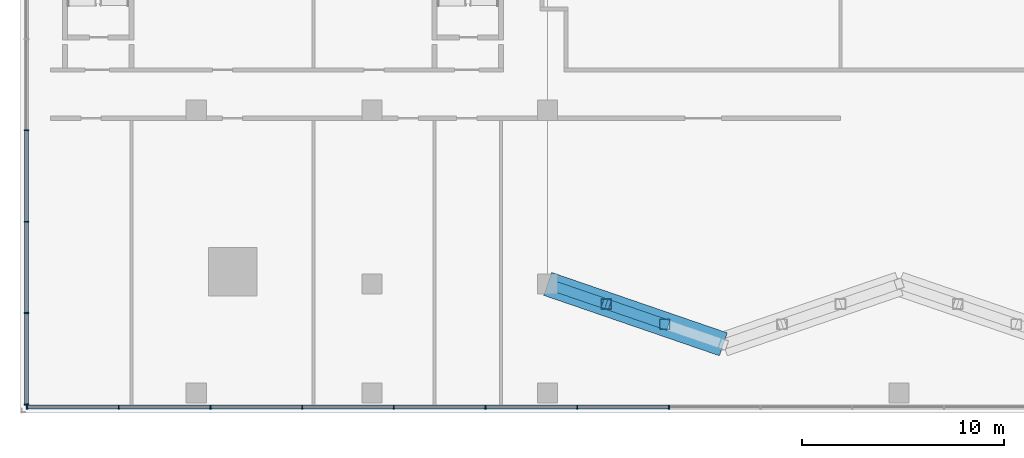
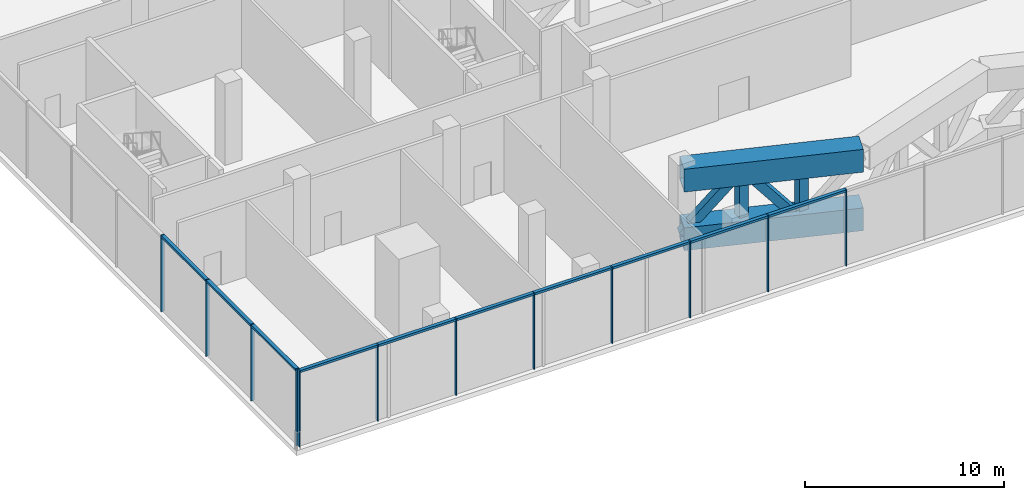
# One storey, part 2 of 22: 27 members, 1 beam, 2 elements without a shape of their own.
"""IFC4 building model written with IfcOpenShell, lengths in metres."""

from ifc_helpers import new_model, si_unit, direction, frame, origin, origin_2d, place, context, subcontext, project, spatial, rectangle, hollow_rectangle, extrude, material, material_profile, profile_set, type_object, element, aggregate, save


model = new_model("IFC4")

# Units and contexts
model_context = context("Model", 3, precision=1e-05, world=origin(), true_north=direction((0.0, 1.0)))
body_context = subcontext(model_context, "Body", "Model", "MODEL_VIEW")
ifc_project = project(units=[si_unit("LENGTHUNIT", "METRE"), si_unit("AREAUNIT", "SQUARE_METRE"), si_unit("VOLUMEUNIT", "CUBIC_METRE"), si_unit("PLANEANGLEUNIT", "RADIAN"), si_unit("MASSUNIT", "GRAM", prefix="KILO")], contexts=[model_context])

# Site, building, storey
site_placement = place(None, origin())
site = spatial("IfcSite", under=ifc_project, at=site_placement, CompositionType="ELEMENT")
building_placement = place(site_placement, origin())
building = spatial("IfcBuilding", under=site, at=building_placement, Name="Bicima Exchange Tower", CompositionType="ELEMENT")
storey_placement = place(building_placement, frame((0.0, 0.0, 20.0)))
storey = spatial("IfcBuildingStorey", under=building, at=storey_placement, Name="L03", CompositionType="ELEMENT", Elevation=20.0)

# Curtain wall, members
ifc_material_1 = material(Name="Anodised bronze aluminium", Category="aluminium")
curtain_wall_type = type_object("IfcCurtainWallType", Name="Lobby glazing", PredefinedType="NOTDEFINED", material=ifc_material_1)
curtain_wall_1_placement = place(storey_placement, origin())
curtain_wall_1 = element("IfcCurtainWall", 1, at=curtain_wall_1_placement, inside=storey, type_object=curtain_wall_type, Name="Podium glazing L03 south 1", PredefinedType="NOTDEFINED")
ifc_material_profile_1 = material_profile(ifc_material_1, rectangle(XDim=0.199951171875, YDim=0.06005859375, at=origin_2d()))
ifc_profile_set_1 = profile_set([ifc_material_profile_1], Name="Anodised bronze aluminium")
member_type_1 = type_object("IfcMemberType", Name="Lobby glazing mullion 60 x 200", PredefinedType="MULLION", material=ifc_profile_set_1)
member_1_placement = place(storey_placement, frame((-43.169921875, -45.699951171875, 0.0), z_axis=(0.0, 0.0, 1.0), x_axis=(0.0, 1.0, 0.0)))
member_1 = element("IfcMember", 2, at=member_1_placement, type_object=member_type_1, Name="Lobby glazing mullion 1", PredefinedType="MULLION", context=body_context, shape_type="SweptSolid", body=[
    extrude(rectangle(XDim=0.199951171875, YDim=0.06005859375, at=origin_2d()), origin(), (0.0, 0.0, 1.0), 4.699951171875),
])
member_2_placement = place(storey_placement, frame((-38.631103515625, -45.699951171875, 0.0), z_axis=(0.0, 0.0, 1.0), x_axis=(0.0, 1.0, 0.0)))
member_2 = element("IfcMember", 3, at=member_2_placement, type_object=member_type_1, Name="Lobby glazing mullion 2", PredefinedType="MULLION", context=body_context, shape_type="SweptSolid", body=[
    extrude(rectangle(XDim=0.199951171875, YDim=0.06005859375, at=origin_2d()), origin(), (0.0, 0.0, 1.0), 4.699951171875),
])
member_3_placement = place(storey_placement, frame((-34.092041015625, -45.699951171875, 0.0), z_axis=(0.0, 0.0, 1.0), x_axis=(0.0, 1.0, 0.0)))
member_3 = element("IfcMember", 4, at=member_3_placement, type_object=member_type_1, Name="Lobby glazing mullion 3", PredefinedType="MULLION", context=body_context, shape_type="SweptSolid", body=[
    extrude(rectangle(XDim=0.199951171875, YDim=0.06005859375, at=origin_2d()), origin(), (0.0, 0.0, 1.0), 4.699951171875),
])
member_4_placement = place(storey_placement, frame((-29.55322265625, -45.699951171875, 0.0), z_axis=(0.0, 0.0, 1.0), x_axis=(0.0, 1.0, 0.0)))
member_4 = element("IfcMember", 5, at=member_4_placement, type_object=member_type_1, Name="Lobby glazing mullion 4", PredefinedType="MULLION", context=body_context, shape_type="SweptSolid", body=[
    extrude(rectangle(XDim=0.199951171875, YDim=0.06005859375, at=origin_2d()), origin(), (0.0, 0.0, 1.0), 4.699951171875),
])
member_5_placement = place(storey_placement, frame((-25.01416015625, -45.699951171875, 0.0), z_axis=(0.0, 0.0, 1.0), x_axis=(0.0, 1.0, 0.0)))
member_5 = element("IfcMember", 6, at=member_5_placement, type_object=member_type_1, Name="Lobby glazing mullion 5", PredefinedType="MULLION", context=body_context, shape_type="SweptSolid", body=[
    extrude(rectangle(XDim=0.199951171875, YDim=0.06005859375, at=origin_2d()), origin(), (0.0, 0.0, 1.0), 4.699951171875),
])
member_6_placement = place(storey_placement, frame((-20.475341796875, -45.699951171875, 0.0), z_axis=(0.0, 0.0, 1.0), x_axis=(0.0, 1.0, 0.0)))
member_6 = element("IfcMember", 7, at=member_6_placement, type_object=member_type_1, Name="Lobby glazing mullion 6", PredefinedType="MULLION", context=body_context, shape_type="SweptSolid", body=[
    extrude(rectangle(XDim=0.199951171875, YDim=0.06005859375, at=origin_2d()), origin(), (0.0, 0.0, 1.0), 4.699951171875),
])
member_7_placement = place(storey_placement, frame((-15.936279296875, -45.699951171875, 0.0), z_axis=(0.0, 0.0, 1.0), x_axis=(0.0, 1.0, 0.0)))
member_7 = element("IfcMember", 8, at=member_7_placement, type_object=member_type_1, Name="Lobby glazing mullion 7", PredefinedType="MULLION", context=body_context, shape_type="SweptSolid", body=[
    extrude(rectangle(XDim=0.199951171875, YDim=0.06005859375, at=origin_2d()), origin(), (0.0, 0.0, 1.0), 4.699951171875),
])
member_8_placement = place(storey_placement, frame((-11.3974609375, -45.699951171875, 0.0), z_axis=(0.0, 0.0, 1.0), x_axis=(0.0, 1.0, 0.0)))
member_8 = element("IfcMember", 9, at=member_8_placement, type_object=member_type_1, Name="Lobby glazing mullion 8", PredefinedType="MULLION", context=body_context, shape_type="SweptSolid", body=[
    extrude(rectangle(XDim=0.199951171875, YDim=0.06005859375, at=origin_2d()), origin(), (0.0, 0.0, 1.0), 4.699951171875),
])

curtain_wall_2_placement = place(storey_placement, origin())
curtain_wall_2 = element("IfcCurtainWall", 10, at=curtain_wall_2_placement, inside=storey, type_object=curtain_wall_type, Name="Podium glazing L03 west 1", PredefinedType="NOTDEFINED")
member_9_placement = place(storey_placement, frame((-43.199951171875, -31.998046875, 0.0), z_axis=(0.0, 0.0, 1.0), x_axis=(1.0, 0.0, 0.0)))
member_9 = element("IfcMember", 11, at=member_9_placement, type_object=member_type_1, Name="Lobby glazing mullion 8", PredefinedType="MULLION", context=body_context, shape_type="SweptSolid", body=[
    extrude(rectangle(XDim=0.199951171875, YDim=0.06005859375, at=origin_2d()), origin(), (0.0, 0.0, 1.0), 4.699951171875),
])
member_10_placement = place(storey_placement, frame((-43.199951171875, -36.52197265625, 0.0), z_axis=(0.0, 0.0, 1.0), x_axis=(1.0, 0.0, 0.0)))
member_10 = element("IfcMember", 12, at=member_10_placement, type_object=member_type_1, Name="Lobby glazing mullion 9", PredefinedType="MULLION", context=body_context, shape_type="SweptSolid", body=[
    extrude(rectangle(XDim=0.199951171875, YDim=0.06005859375, at=origin_2d()), origin(), (0.0, 0.0, 1.0), 4.699951171875),
])
member_11_placement = place(storey_placement, frame((-43.199951171875, -41.0458984375, 0.0), z_axis=(0.0, 0.0, 1.0), x_axis=(1.0, 0.0, 0.0)))
member_11 = element("IfcMember", 13, at=member_11_placement, type_object=member_type_1, Name="Lobby glazing mullion 10", PredefinedType="MULLION", context=body_context, shape_type="SweptSolid", body=[
    extrude(rectangle(XDim=0.199951171875, YDim=0.06005859375, at=origin_2d()), origin(), (0.0, 0.0, 1.0), 4.699951171875),
])
member_12_placement = place(storey_placement, frame((-43.199951171875, -45.570068359375, 0.0), z_axis=(0.0, 0.0, 1.0), x_axis=(1.0, 0.0, 0.0)))
member_12 = element("IfcMember", 14, at=member_12_placement, type_object=member_type_1, Name="Lobby glazing mullion 11", PredefinedType="MULLION", context=body_context, shape_type="SweptSolid", body=[
    extrude(rectangle(XDim=0.199951171875, YDim=0.06005859375, at=origin_2d()), origin(), (0.0, 0.0, 1.0), 4.699951171875),
])

# Member
ifc_material_profile_2 = material_profile(ifc_material_1, rectangle(XDim=0.199951171875, YDim=0.139892578125, at=origin_2d()))
ifc_profile_set_2 = profile_set([ifc_material_profile_2], Name="Anodised bronze aluminium")
member_type_2 = type_object("IfcMemberType", Name="Lobby glazing transom 140 x 200", PredefinedType="USERDEFINED", material=ifc_profile_set_2)
member_13_placement = place(storey_placement, frame((-43.139892578125, -45.699951171875, 4.6298828125), z_axis=(1.0, 0.0, 0.0), x_axis=(0.0, 1.0, 0.0)))
member_13 = element("IfcMember", 15, at=member_13_placement, type_object=member_type_2, Name="Lobby glazing transom 1.1", ObjectType="TRANSOM", PredefinedType="USERDEFINED", context=body_context, shape_type="SweptSolid", body=[
    extrude(rectangle(XDim=0.199951171875, YDim=0.139892578125, at=origin_2d()), origin(), (0.0, 0.0, 1.0), 4.478759765625),
])

member_14_placement = place(storey_placement, frame((-38.60107421875, -45.699951171875, 4.6298828125), z_axis=(1.0, 0.0, 0.0), x_axis=(0.0, 1.0, 0.0)))
member_14 = element("IfcMember", 16, at=member_14_placement, type_object=member_type_2, Name="Lobby glazing transom 2.1", ObjectType="TRANSOM", PredefinedType="USERDEFINED", context=body_context, shape_type="SweptSolid", body=[
    extrude(rectangle(XDim=0.199951171875, YDim=0.139892578125, at=origin_2d()), origin(), (0.0, 0.0, 1.0), 4.47900390625),
])

member_15_placement = place(storey_placement, frame((-34.06201171875, -45.699951171875, 4.6298828125), z_axis=(1.0, 0.0, 0.0), x_axis=(0.0, 1.0, 0.0)))
member_15 = element("IfcMember", 17, at=member_15_placement, type_object=member_type_2, Name="Lobby glazing transom 3.1", ObjectType="TRANSOM", PredefinedType="USERDEFINED", context=body_context, shape_type="SweptSolid", body=[
    extrude(rectangle(XDim=0.199951171875, YDim=0.139892578125, at=origin_2d()), origin(), (0.0, 0.0, 1.0), 4.478759765625),
])

member_16_placement = place(storey_placement, frame((-29.523193359375, -45.699951171875, 4.6298828125), z_axis=(1.0, 0.0, 0.0), x_axis=(0.0, 1.0, 0.0)))
member_16 = element("IfcMember", 18, at=member_16_placement, type_object=member_type_2, Name="Lobby glazing transom 4.1", ObjectType="TRANSOM", PredefinedType="USERDEFINED", context=body_context, shape_type="SweptSolid", body=[
    extrude(rectangle(XDim=0.199951171875, YDim=0.139892578125, at=origin_2d()), origin(), (0.0, 0.0, 1.0), 4.47900390625),
])

member_17_placement = place(storey_placement, frame((-24.984130859375, -45.699951171875, 4.6298828125), z_axis=(1.0, 0.0, 0.0), x_axis=(0.0, 1.0, 0.0)))
member_17 = element("IfcMember", 19, at=member_17_placement, type_object=member_type_2, Name="Lobby glazing transom 5.1", ObjectType="TRANSOM", PredefinedType="USERDEFINED", context=body_context, shape_type="SweptSolid", body=[
    extrude(rectangle(XDim=0.199951171875, YDim=0.139892578125, at=origin_2d()), origin(), (0.0, 0.0, 1.0), 4.478759765625),
])

member_18_placement = place(storey_placement, frame((-20.4453125, -45.699951171875, 4.6298828125), z_axis=(1.0, 0.0, 0.0), x_axis=(0.0, 1.0, 0.0)))
member_18 = element("IfcMember", 20, at=member_18_placement, type_object=member_type_2, Name="Lobby glazing transom 6.1", ObjectType="TRANSOM", PredefinedType="USERDEFINED", context=body_context, shape_type="SweptSolid", body=[
    extrude(rectangle(XDim=0.199951171875, YDim=0.139892578125, at=origin_2d()), origin(), (0.0, 0.0, 1.0), 4.47900390625),
])

member_19_placement = place(storey_placement, frame((-15.90625, -45.699951171875, 4.6298828125), z_axis=(1.0, 0.0, 0.0), x_axis=(0.0, 1.0, 0.0)))
member_19 = element("IfcMember", 21, at=member_19_placement, type_object=member_type_2, Name="Lobby glazing transom 7.1", ObjectType="TRANSOM", PredefinedType="USERDEFINED", context=body_context, shape_type="SweptSolid", body=[
    extrude(rectangle(XDim=0.199951171875, YDim=0.139892578125, at=origin_2d()), origin(), (0.0, 0.0, 1.0), 4.478759765625),
])

aggregate(curtain_wall_1, [member_1, member_2, member_3, member_4, member_5, member_6, member_7, member_8, member_13, member_14, member_15, member_16, member_17, member_18, member_19])

member_20_placement = place(storey_placement, frame((-43.199951171875, -32.028076171875, 4.6298828125), z_axis=(0.0, -1.0, 0.0), x_axis=(1.0, 0.0, 0.0)))
member_20 = element("IfcMember", 22, at=member_20_placement, type_object=member_type_2, Name="Lobby glazing transom 8.1", ObjectType="TRANSOM", PredefinedType="USERDEFINED", context=body_context, shape_type="SweptSolid", body=[
    extrude(rectangle(XDim=0.199951171875, YDim=0.139892578125, at=origin_2d()), origin(), (0.0, 0.0, 1.0), 4.4638671875),
])

member_21_placement = place(storey_placement, frame((-43.199951171875, -36.552001953125, 4.6298828125), z_axis=(0.0, -1.0, 0.0), x_axis=(1.0, 0.0, 0.0)))
member_21 = element("IfcMember", 23, at=member_21_placement, type_object=member_type_2, Name="Lobby glazing transom 9.1", ObjectType="TRANSOM", PredefinedType="USERDEFINED", context=body_context, shape_type="SweptSolid", body=[
    extrude(rectangle(XDim=0.199951171875, YDim=0.139892578125, at=origin_2d()), origin(), (0.0, 0.0, 1.0), 4.464111328125),
])

member_22_placement = place(storey_placement, frame((-43.199951171875, -41.075927734375, 4.6298828125), z_axis=(0.0, -1.0, 0.0), x_axis=(1.0, 0.0, 0.0)))
member_22 = element("IfcMember", 24, at=member_22_placement, type_object=member_type_2, Name="Lobby glazing transom 10.1", ObjectType="TRANSOM", PredefinedType="USERDEFINED", context=body_context, shape_type="SweptSolid", body=[
    extrude(rectangle(XDim=0.199951171875, YDim=0.139892578125, at=origin_2d()), origin(), (0.0, 0.0, 1.0), 4.464111328125),
])

aggregate(curtain_wall_2, [member_9, member_10, member_11, member_12, member_20, member_21, member_22])

# Members
ifc_material_2 = material(Name="Steel ASTM A572 Gr 50", Category="steel")
ifc_material_profile_3 = material_profile(ifc_material_2, hollow_rectangle(XDim=1.199951171875, YDim=1.39990234375, WallThickness=0.080078125, at=origin_2d()))
ifc_profile_set_3 = profile_set([ifc_material_profile_3], Name="Steel ASTM A572 Gr 50")
member_type_3 = type_object("IfcMemberType", Name="Transfer truss chord BOX 1200x1400x80", PredefinedType="CHORD", material=ifc_profile_set_3)
member_23_placement = place(storey_placement, frame((-17.39990234375, -39.60009765625, 0.39990234375), z_axis=(0.945674616091, -0.32511462668, 0.0), x_axis=(0.32511462668, 0.945674616091, 0.0)))
element("IfcMember", 25, at=member_23_placement, inside=storey, type_object=member_type_3, Name="Bottom chord", PredefinedType="CHORD", context=body_context, shape_type="SweptSolid", body=[
    extrude(hollow_rectangle(XDim=1.199951171875, YDim=1.39990234375, WallThickness=0.080078125, at=origin_2d()), origin(), (0.0, 0.0, 1.0), 9.19970703125),
])
ifc_material_profile_4 = material_profile(ifc_material_2, hollow_rectangle(XDim=0.508056640625, YDim=0.508056640625, WallThickness=0.017822265625, at=origin_2d()))
ifc_profile_set_4 = profile_set([ifc_material_profile_4], Name="Steel ASTM A572 Gr 50")
member_type_4 = type_object("IfcMemberType", Name="Transfer truss diagonal HSS20x20x3/4", PredefinedType="STRUT", material=ifc_profile_set_4)
for number, where, z_axis, x_axis, name in (
    (26, (-17.39990234375, -39.60009765625, 0.39990234375), (0.613211910084, -0.210788367475, 0.761274863284), (0.325075318312, 0.945688129049, 0.0), "Truss diagonal"),
    (27, (-14.5, -40.596923828125, 4.0), (0.613205236324, -0.210837698699, -0.761266578113), (0.325146518908, 0.945663651222, 0.0), "Truss diagonal"),
):
    element("IfcMember", number, at=place(storey_placement, frame(where, z_axis=z_axis, x_axis=x_axis)), inside=storey, type_object=member_type_4, Name=name, PredefinedType="STRUT", context=body_context, shape_type="SweptSolid", body=[
        extrude(hollow_rectangle(XDim=0.508056640625, YDim=0.508056640625, WallThickness=0.017822265625, at=origin_2d()), origin(), (0.0, 0.0, 1.0), 4.72900390625),
    ])
ifc_material_profile_5 = material_profile(ifc_material_2, hollow_rectangle(XDim=0.508056640625, YDim=0.508056640625, WallThickness=0.0146484375, at=origin_2d()))
ifc_profile_set_5 = profile_set([ifc_material_profile_5], Name="Steel ASTM A572 Gr 50")
member_type_5 = type_object("IfcMemberType", Name="Transfer truss post HSS20x20x5/8", PredefinedType="POST", material=ifc_profile_set_5)
for number, where, z_axis, x_axis, name in (
    (28, (-14.5, -40.596923828125, 0.39990234375), (0.0, 0.0, 1.0), (1.0, 0.0, 0.0), "Truss post"),
    (29, (-11.60009765625, -41.593994140625, 0.39990234375), (0.0, 0.0, 1.0), (1.0, 0.0, 0.0), "Truss post"),
):
    element("IfcMember", number, at=place(storey_placement, frame(where, z_axis=z_axis, x_axis=x_axis)), inside=storey, type_object=member_type_5, Name=name, PredefinedType="POST", context=body_context, shape_type="SweptSolid", body=[
        extrude(hollow_rectangle(XDim=0.508056640625, YDim=0.508056640625, WallThickness=0.0146484375, at=origin_2d()), origin(), (0.0, 0.0, 1.0), 3.60009765625),
    ])

# Beam
beam_type = type_object("IfcBeamType", Name="Transfer truss top chord BOX 1200x1400x80", PredefinedType="BEAM", material=ifc_profile_set_3)
beam_placement = place(storey_placement, frame((-17.39990234375, -39.60009765625, 4.0), z_axis=(0.945674616091, -0.32511462668, 0.0), x_axis=(0.32511462668, 0.945674616091, 0.0)))
element("IfcBeam", 30, at=beam_placement, inside=storey, type_object=beam_type, Name="Transfer girder", PredefinedType="BEAM", context=body_context, shape_type="SweptSolid", body=[
    extrude(hollow_rectangle(XDim=1.199951171875, YDim=1.39990234375, WallThickness=0.080078125, at=origin_2d()), origin(), (0.0, 0.0, 1.0), 9.19970703125),
])

save(model, "model.ifc")
